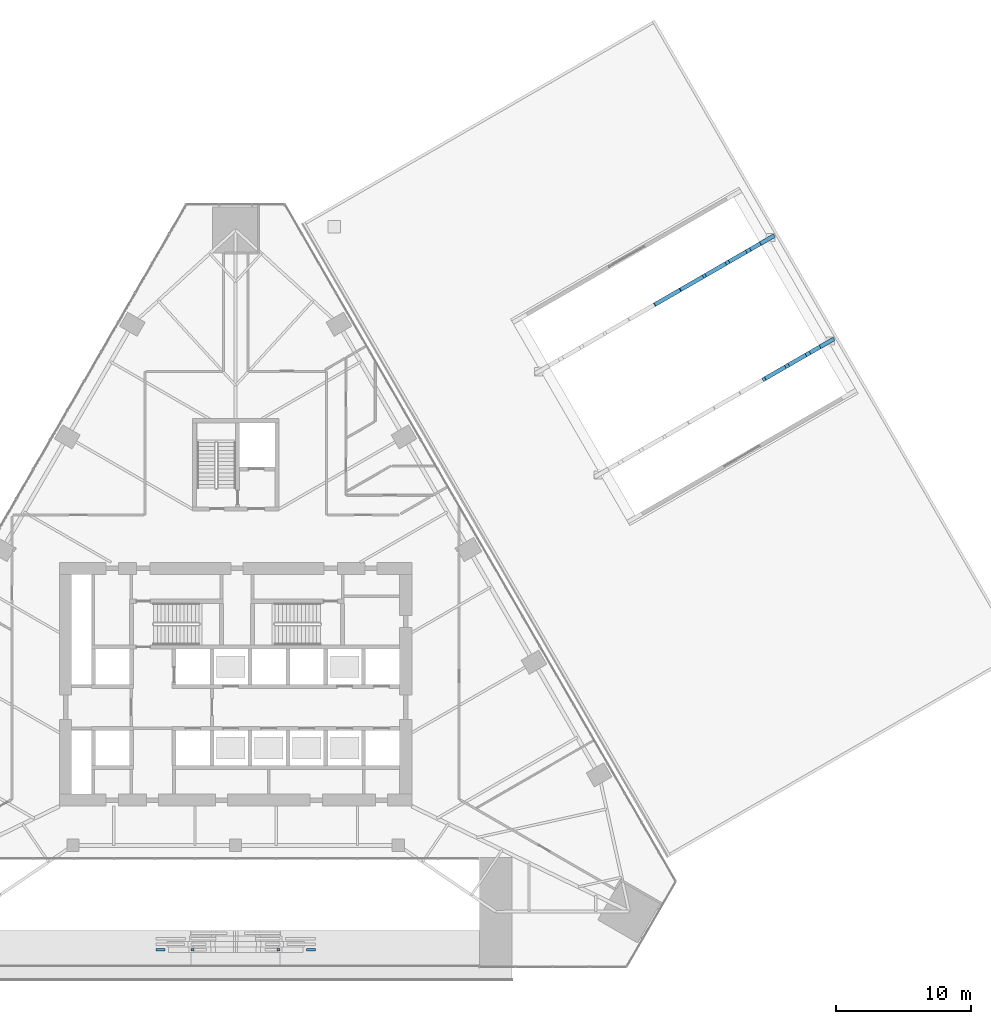
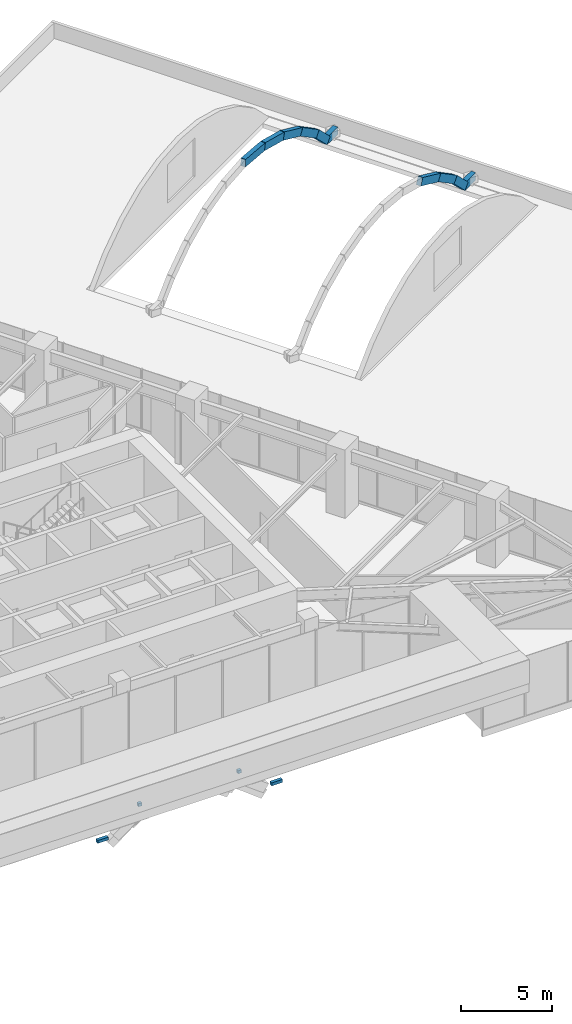
# One storey, part 15 of 23: 10 members, 4 beams.
"""IFC4 building model written with IfcOpenShell, lengths in metres."""

from ifc_helpers import new_model, si_unit, direction, frame, origin, origin_2d, place, context, subcontext, project, spatial, rectangle, extrude, material, material_profile, profile_set, type_object, element, save


model = new_model("IFC4")

# Units and contexts
model_context = context("Model", 3, precision=1e-05, world=origin(), true_north=direction((0.0, 1.0)))
body_context = subcontext(model_context, "Body", "Model", "MODEL_VIEW")
ifc_project = project(units=[si_unit("LENGTHUNIT", "METRE"), si_unit("AREAUNIT", "SQUARE_METRE"), si_unit("VOLUMEUNIT", "CUBIC_METRE"), si_unit("PLANEANGLEUNIT", "RADIAN"), si_unit("MASSUNIT", "GRAM", prefix="KILO")], contexts=[model_context])

# Site, building, storey
site_placement = place(None, origin())
site = spatial("IfcSite", under=ifc_project, at=site_placement, CompositionType="ELEMENT")
building_placement = place(site_placement, origin())
building = spatial("IfcBuilding", under=site, at=building_placement, Name="Firuza Gate Tower and Library", CompositionType="ELEMENT")
storey_placement = place(building_placement, frame((0.0, 0.0, 26.39990234375)))
storey = spatial("IfcBuildingStorey", under=building, at=storey_placement, Name="L05", CompositionType="ELEMENT", Elevation=26.39990234375)

# Beams
ifc_material_1 = material(Name="Concrete C60/75", Category="concrete")
ifc_material_profile_1 = material_profile(ifc_material_1, rectangle(XDim=0.199951171875, YDim=0.199951171875, at=origin_2d()))
ifc_profile_set_1 = profile_set([ifc_material_profile_1], Name="Concrete C60/75")
beam_type = type_object("IfcBeamType", Name="Arch rib bracket 200x200", PredefinedType="BEAM", material=ifc_profile_set_1)
beam_1_placement = place(storey_placement, frame((69.109375, 55.415283203125, 0.20947265625), z_axis=(1.0, 0.0, 0.0), x_axis=(0.0, 1.0, 0.0)))
element("IfcBeam", 1, at=beam_1_placement, inside=storey, type_object=beam_type, Name="Arch rib bracket 1.17", PredefinedType="BEAM", context=body_context, shape_type="SweptSolid", body=[
    extrude(rectangle(XDim=0.199951171875, YDim=0.199951171875, at=origin_2d()), origin(), (0.0, 0.0, 1.0), 0.678466796875),
])
for number, where, z_axis, x_axis, name in (
    (2, (71.713623046875, 55.415283203125, 1.772705078125), (1.0, 0.0, 0.0), (0.0, 1.0, 0.0), "Arch rib bracket 1.18"),
    (3, (78.286376953125, 55.415283203125, 1.772705078125), (-1.0, 0.0, 0.0), (0.0, -1.0, 0.0), "Arch rib bracket 1.21"),
):
    element("IfcBeam", number, at=place(storey_placement, frame(where, z_axis=z_axis, x_axis=x_axis)), inside=storey, type_object=beam_type, Name=name, PredefinedType="BEAM", context=body_context, shape_type="SweptSolid", body=[
        extrude(rectangle(XDim=0.199951171875, YDim=0.199951171875, at=origin_2d()), origin(), (0.0, 0.0, 1.0), 0.225341796875),
    ])
beam_2_placement = place(storey_placement, frame((80.890625, 55.415283203125, 0.20947265625), z_axis=(-1.0, 0.0, 0.0), x_axis=(0.0, -1.0, 0.0)))
element("IfcBeam", 4, at=beam_2_placement, inside=storey, type_object=beam_type, Name="Arch rib bracket 1.22", PredefinedType="BEAM", context=body_context, shape_type="SweptSolid", body=[
    extrude(rectangle(XDim=0.199951171875, YDim=0.199951171875, at=origin_2d()), origin(), (0.0, 0.0, 1.0), 0.678466796875),
])

# Members
ifc_material_2 = material(Name="Concrete C40/50", Category="concrete")
ifc_material_profile_2 = material_profile(ifc_material_2, rectangle(XDim=0.300048828125, YDim=0.5, at=origin_2d()))
ifc_profile_set_2 = profile_set([ifc_material_profile_2], Name="Concrete C40/50")
member_type = type_object("IfcMemberType", Name="LIB VAULT RIB 300X500", PredefinedType="USERDEFINED", material=ifc_profile_set_2)
member_1_placement = place(storey_placement, frame((113.993896484375, 97.51318359375, 3.486328125), z_axis=(0.787185542842, 0.454436666185, -0.416924738494), x_axis=(-0.499962770326, 0.86604689728, 0.0)))
element("IfcMember", 5, at=member_1_placement, inside=storey, type_object=member_type, Name="Reading hall vault rib 1.8", ObjectType="VAULT RIB", PredefinedType="USERDEFINED", context=body_context, shape_type="SweptSolid", body=[
    extrude(rectangle(XDim=0.300048828125, YDim=0.5, at=origin_2d()), origin(), (0.0, 0.0, 1.0), 2.160888671875),
])
member_2_placement = place(storey_placement, frame((115.69482421875, 98.4951171875, 2.58544921875), z_axis=(0.713772816573, 0.412083182213, -0.566317770566), x_axis=(-0.499987491644, 0.866032625367, 0.0)))
element("IfcMember", 6, at=member_2_placement, inside=storey, type_object=member_type, Name="Reading hall vault rib 1.9", ObjectType="VAULT RIB", PredefinedType="USERDEFINED", context=body_context, shape_type="SweptSolid", body=[
    extrude(rectangle(XDim=0.300048828125, YDim=0.5, at=origin_2d()), origin(), (0.0, 0.0, 1.0), 2.16064453125),
])
member_3_placement = place(storey_placement, frame((117.237060546875, 99.385498046875, 1.36181640625), z_axis=(0.61926612133, 0.357535286267, -0.699055069395), x_axis=(-0.500001913541, 0.866024298998, 0.0)))
element("IfcMember", 7, at=member_3_placement, inside=storey, type_object=member_type, Name="Reading hall vault rib 1.10", ObjectType="VAULT RIB", PredefinedType="USERDEFINED", context=body_context, shape_type="SweptSolid", body=[
    extrude(rectangle(XDim=0.300048828125, YDim=0.5, at=origin_2d()), origin(), (0.0, 0.0, 1.0), 1.692138671875),
])
member_4_placement = place(storey_placement, frame((105.92041015625, 103.01318359375, 4.22314453125), z_axis=(0.862837884385, 0.498134376359, -0.085865757776), x_axis=(-0.499980948172, 0.866036403083, 0.0)))
element("IfcMember", 8, at=member_4_placement, inside=storey, type_object=member_type, Name="Reading hall vault rib 2.6", ObjectType="VAULT RIB", PredefinedType="USERDEFINED", context=body_context, shape_type="SweptSolid", body=[
    extrude(rectangle(XDim=0.300048828125, YDim=0.5, at=origin_2d()), origin(), (0.0, 0.0, 1.0), 2.160888671875),
])
member_5_placement = place(storey_placement, frame((107.784912109375, 104.089599609375, 4.03759765625), z_axis=(0.837320181497, 0.483521330179, -0.255151008073), x_axis=(-0.500073142705, 0.865983170705, 0.0)))
element("IfcMember", 9, at=member_5_placement, inside=storey, type_object=member_type, Name="Reading hall vault rib 2.7", ObjectType="VAULT RIB", PredefinedType="USERDEFINED", context=body_context, shape_type="SweptSolid", body=[
    extrude(rectangle(XDim=0.300048828125, YDim=0.5, at=origin_2d()), origin(), (0.0, 0.0, 1.0), 2.16064453125),
])
member_6_placement = place(storey_placement, frame((109.593994140625, 105.13427734375, 3.486328125), z_axis=(0.787185542842, 0.454436666185, -0.416924738494), x_axis=(-0.499962770326, 0.86604689728, 0.0)))
element("IfcMember", 10, at=member_6_placement, inside=storey, type_object=member_type, Name="Reading hall vault rib 2.8", ObjectType="VAULT RIB", PredefinedType="USERDEFINED", context=body_context, shape_type="SweptSolid", body=[
    extrude(rectangle(XDim=0.300048828125, YDim=0.5, at=origin_2d()), origin(), (0.0, 0.0, 1.0), 2.160888671875),
])
member_7_placement = place(storey_placement, frame((111.294921875, 106.1162109375, 2.58544921875), z_axis=(0.713717383903, 0.412116418476, -0.566363446505), x_axis=(-0.500046860645, 0.865998347088, 0.0)))
element("IfcMember", 11, at=member_7_placement, inside=storey, type_object=member_type, Name="Reading hall vault rib 2.9", ObjectType="VAULT RIB", PredefinedType="USERDEFINED", context=body_context, shape_type="SweptSolid", body=[
    extrude(rectangle(XDim=0.300048828125, YDim=0.5, at=origin_2d()), origin(), (0.0, 0.0, 1.0), 2.160400390625),
])
member_8_placement = place(storey_placement, frame((112.8369140625, 107.006591796875, 1.36181640625), z_axis=(0.619355061746, 0.357503341022, -0.698992609867), x_axis=(-0.499914554297, 0.866074730264, 0.0)))
element("IfcMember", 12, at=member_8_placement, inside=storey, type_object=member_type, Name="Reading hall vault rib 2.10", ObjectType="VAULT RIB", PredefinedType="USERDEFINED", context=body_context, shape_type="SweptSolid", body=[
    extrude(rectangle(XDim=0.300048828125, YDim=0.5, at=origin_2d()), origin(), (0.0, 0.0, 1.0), 1.692138671875),
])
for number, where, z_axis, x_axis, name in (
    (13, (119.154052734375, 100.4921875, 0.25), (-0.866092412582, -0.499883919394, 0.0), (0.499883919394, -0.866092412582, 0.0), "Vault spring beam 2"),
    (14, (114.75390625, 108.11328125, 0.25), (-0.866092412582, -0.499883919394, 0.0), (0.499883919394, -0.866092412582, 0.0), "Vault spring beam 4"),
):
    element("IfcMember", number, at=place(storey_placement, frame(where, z_axis=z_axis, x_axis=x_axis)), inside=storey, type_object=member_type, Name=name, ObjectType="VAULT RIB", PredefinedType="USERDEFINED", context=body_context, shape_type="SweptSolid", body=[
        extrude(rectangle(XDim=0.300048828125, YDim=0.5, at=origin_2d()), origin(), (0.0, 0.0, 1.0), 1.177978515625),
    ])

save(model, "model.ifc")
